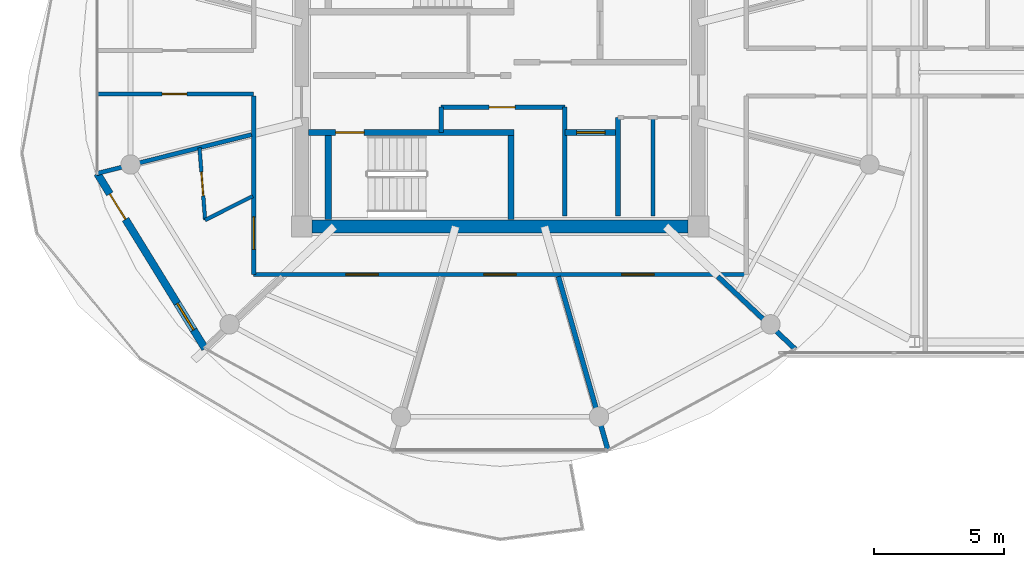
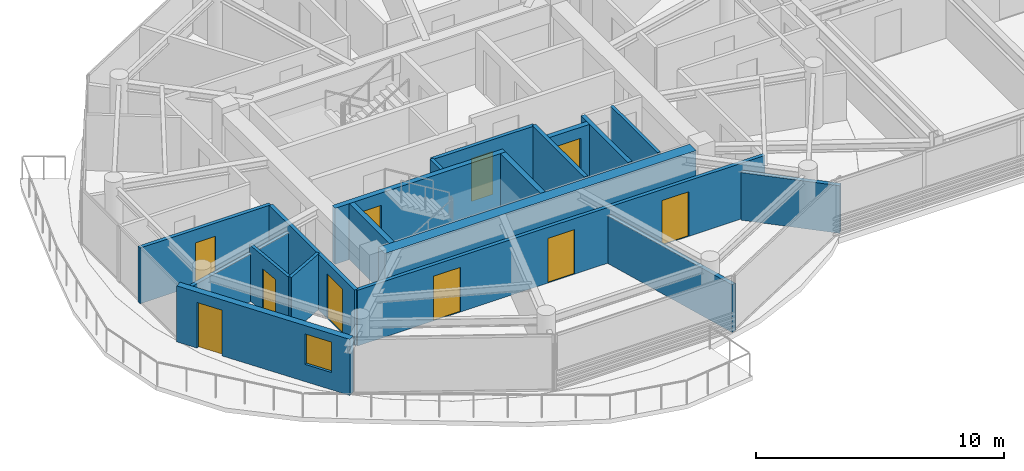
# One storey, part 13 of 23: 19 walls, 10 doors, 1 window, 11 openings.
"""IFC4 building model written with IfcOpenShell, lengths in metres."""

from ifc_helpers import new_model, si_unit, direction, frame, frame_2d, origin, place, context, subcontext, project, spatial, rectangle, extrude, source, transform, mapped, material, layer, layer_set, type_object, type_shapes, element, fill, save


model = new_model("IFC4")

# Units and contexts
model_context = context("Model", 3, precision=1e-05, world=origin(), true_north=direction((0.0, 1.0)))
body_context = subcontext(model_context, "Body", "Model", "MODEL_VIEW")
ifc_project = project(units=[si_unit("LENGTHUNIT", "METRE"), si_unit("AREAUNIT", "SQUARE_METRE"), si_unit("VOLUMEUNIT", "CUBIC_METRE"), si_unit("PLANEANGLEUNIT", "RADIAN"), si_unit("MASSUNIT", "GRAM", prefix="KILO")], contexts=[model_context])

# Site, building, storey
site_placement = place(None, origin())
site = spatial("IfcSite", under=ifc_project, at=site_placement, CompositionType="ELEMENT")
building_placement = place(site_placement, origin())
building = spatial("IfcBuilding", under=site, at=building_placement, Name="Norrkilde Senior Care Towers", CompositionType="ELEMENT")
storey_placement = place(building_placement, frame((0.0, 0.0, 220.0)))
storey = spatial("IfcBuildingStorey", under=building, at=storey_placement, Name="L68", CompositionType="ELEMENT", Elevation=220.0)

# Wall
ifc_material_1 = material(Name="Concrete C50/60", Category="concrete")
ifc_layer_1 = layer(ifc_material_1, 0.52001953125)
ifc_layer_set_1 = layer_set([ifc_layer_1], Name="Concrete C50/60")
wall_type_1 = type_object("IfcWallType", Name="Core Shear Wall Z4 520", PredefinedType="SHEAR", material=ifc_layer_set_1)
shared_shape_1 = source(origin(), body_context, "Body", "SweptSolid", [
    extrude(rectangle(XDim=14.5, YDim=0.52001953125, at=frame_2d((7.25, 0.0))), origin(), (0.0, 0.0, 1.0), 2.760009765625),
])
type_shapes(wall_type_1, [shared_shape_1])
wall_1_placement = place(storey_placement, frame((-20.75, -5.949951171875, 0.0), z_axis=(0.0, 0.0, 1.0), x_axis=(-1.0, 0.0, 0.0)))
element("IfcWall", 1, at=wall_1_placement, inside=storey, type_object=wall_type_1, Name="L68 Core W South Shear Wall", PredefinedType="SHEAR", context=body_context, shape_type="MappedRepresentation", body=[
    mapped(shared_shape_1, transform((0.0, 0.0, 0.0), x_axis=(1.0, 0.0, 0.0), y_axis=(0.0, 1.0, 0.0), z_axis=(0.0, 0.0, 1.0), scale=1.0)),
])

# Wall, openings, door, window
ifc_material_2 = material(Name="Precast concrete C45/55", Category="concrete")
ifc_layer_2 = layer(ifc_material_2, 0.2900390625)
ifc_layer_set_2 = layer_set([ifc_layer_2], Name="Precast concrete C45/55")
wall_type_2 = type_object("IfcWallType", Name="Winter Garden Facade Wall 290", PredefinedType="SOLIDWALL", material=ifc_layer_set_2)
shared_shape_2 = source(origin(), body_context, "Body", "SweptSolid", [
    extrude(rectangle(XDim=7.938232421875, YDim=0.2900390625, at=frame_2d((3.96923828125, 0.0))), origin(), (0.0, 0.0, 1.0), 2.760009765625),
])
type_shapes(wall_type_2, [shared_shape_2])
wall_2_placement = place(storey_placement, frame((-39.370361328125, -10.6630859375, 0.0), z_axis=(0.0, 0.0, 1.0), x_axis=(-0.524244987663, 0.851567491694, 0.0)))
wall_2 = element("IfcWall", 2, at=wall_2_placement, inside=storey, type_object=wall_type_2, Name="L68 Drum W Balcony Access Wall 06", PredefinedType="SOLIDWALL", context=body_context, shape_type="MappedRepresentation", body=[
    mapped(shared_shape_2, transform((0.0, 0.0, 0.0), x_axis=(1.0, 0.0, 0.0), y_axis=(0.0, 1.0, 0.0), z_axis=(0.0, 0.0, 1.0), scale=1.0)),
])
opening_1_placement = place(wall_2_placement, frame((5.860107421875, 0.0, 0.0)))
opening_1 = element("IfcOpeningElement", 3, at=opening_1_placement, cuts=wall_2, Name="Opening D-09", PredefinedType="OPENING", context=body_context, shape_type="SweptSolid", body=[
    extrude(rectangle(XDim=1.14990234375, YDim=2.25, at=frame_2d((0.574951171875, 1.125))), frame((0.0, 0.155029296875, 0.0), z_axis=(0.0, -1.0, 0.0), x_axis=(1.0, 0.0, 0.0)), (0.0, 0.0, 1.0), 0.31005859375),
])
opening_2_placement = place(wall_2_placement, frame((0.85009765625, 0.0, 0.85009765625)))
opening_2 = element("IfcOpeningElement", 4, at=opening_2_placement, cuts=wall_2, Name="Opening WN-07", PredefinedType="OPENING", context=body_context, shape_type="SweptSolid", body=[
    extrude(rectangle(XDim=1.199951171875, YDim=1.5, at=frame_2d((0.60009765625, 0.75))), frame((0.0, 0.155029296875, 0.0), z_axis=(0.0, -1.0, 0.0), x_axis=(1.0, 0.0, 0.0)), (0.0, 0.0, 1.0), 0.31005859375),
])
ifc_material_3 = material(Name="Anodised Aluminium", Category="aluminium")
door_type_1 = type_object("IfcDoorType", Name="Terrace and Balcony Glazed Door 1150x2250", OperationType="NOTDEFINED", PredefinedType="DOOR", material=ifc_material_3)
shared_shape_3 = source(origin(), body_context, "Body", "SweptSolid", [
    extrude(rectangle(XDim=1.14990234375, YDim=2.25, at=frame_2d((0.574951171875, 1.125))), frame((0.0, 0.02490234375, 0.0), z_axis=(0.0, -1.0, 0.0), x_axis=(1.0, 0.0, 0.0)), (0.0, 0.0, 1.0), 0.050048828125),
])
type_shapes(door_type_1, [shared_shape_3])
door_1_placement = place(opening_1_placement, origin())
door_1 = element("IfcDoor", 5, at=door_1_placement, inside=storey, type_object=door_type_1, Name="L68 Drum W Outdoor Terrace Door 06", OperationType="SINGLE_SWING_LEFT", OverallHeight=2.25, OverallWidth=1.14990234375, PredefinedType="DOOR", context=body_context, shape_type="MappedRepresentation", body=[
    mapped(shared_shape_3, transform((0.0, 0.0, 0.0), x_axis=(1.0, 0.0, 0.0), y_axis=(0.0, 1.0, 0.0), z_axis=(0.0, 0.0, 1.0), scale=1.0)),
])
fill(opening_1, door_1)
ifc_material_4 = material(Name="Triple Low-E Insulated Glazing", Category="glass")
window_type = type_object("IfcWindowType", Name="Stairwell Smoke Vent Window 1200x1500", PartitioningType="SINGLE_PANEL", PredefinedType="WINDOW", material=ifc_material_4)
shared_shape_4 = source(origin(), body_context, "Body", "SweptSolid", [
    extrude(rectangle(XDim=1.199951171875, YDim=1.5, at=frame_2d((0.60009765625, 0.75))), frame((0.0, 0.030029296875, 0.0), z_axis=(0.0, -1.0, 0.0), x_axis=(1.0, 0.0, 0.0)), (0.0, 0.0, 1.0), 0.06005859375),
])
type_shapes(window_type, [shared_shape_4])
window_placement = place(opening_2_placement, origin())
window = element("IfcWindow", 6, at=window_placement, inside=storey, type_object=window_type, Name="L68 Drum W Winter Garden Window 06", OverallHeight=1.5, OverallWidth=1.199951171875, PartitioningType="SINGLE_PANEL", PredefinedType="WINDOW", context=body_context, shape_type="MappedRepresentation", body=[
    mapped(shared_shape_4, transform((0.0, 0.0, 0.0), x_axis=(1.0, 0.0, 0.0), y_axis=(0.0, 1.0, 0.0), z_axis=(0.0, 0.0, 1.0), scale=1.0)),
])
fill(opening_2, window)

# Wall, opening, door
ifc_material_5 = material(Name="Concrete C45/55", Category="concrete")
ifc_layer_3 = layer(ifc_material_5, 0.239990234375)
ifc_layer_set_3 = layer_set([ifc_layer_3], Name="Concrete C45/55")
wall_type_3 = type_object("IfcWallType", Name="Shaft and Stair Enclosure Wall 240", PredefinedType="PARTITIONING", material=ifc_layer_set_3)
shared_shape_5 = source(origin(), body_context, "Body", "SweptSolid", [
    extrude(rectangle(XDim=7.929931640625, YDim=0.239990234375, at=frame_2d((3.96484375, 0.0))), origin(), (0.0, 0.0, 1.0), 2.760009765625),
])
wall_3_placement = place(storey_placement, frame((-35.389892578125, -2.330078125, 0.0), z_axis=(0.0, 0.0, 1.0), x_axis=(1.0, 0.0, 0.0)))
wall_3 = element("IfcWall", 7, at=wall_3_placement, inside=storey, type_object=wall_type_3, Name="WL-INT-L68-W-ST2N", PredefinedType="PARTITIONING", context=body_context, shape_type="MappedRepresentation", body=[
    mapped(shared_shape_5, transform((0.0, 0.0, 0.0), x_axis=(1.0, 0.0, 0.0), y_axis=(0.0, 1.0, 0.0), z_axis=(0.0, 0.0, 1.0), scale=1.0)),
])
opening_3_placement = place(wall_3_placement, frame((1.050048828125, 0.0, 0.0)))
opening_3 = element("IfcOpeningElement", 8, at=opening_3_placement, cuts=wall_3, Name="Opening D-03", PredefinedType="OPENING", context=body_context, shape_type="SweptSolid", body=[
    extrude(rectangle(XDim=1.10009765625, YDim=2.14990234375, at=frame_2d((0.550048828125, 1.074951171875))), frame((0.0, 0.1298828125, 0.0), z_axis=(0.0, -1.0, 0.0), x_axis=(1.0, 0.0, 0.0)), (0.0, 0.0, 1.0), 0.260009765625),
])
ifc_material_6 = material(Name="Galvanised Painted Steel", Category="steel")
door_type_2 = type_object("IfcDoorType", Name="Stairwell Protected Fire Door 1100x2150", OperationType="NOTDEFINED", PredefinedType="DOOR", material=ifc_material_6)
shared_shape_6 = source(origin(), body_context, "Body", "SweptSolid", [
    extrude(rectangle(XDim=1.10009765625, YDim=2.14990234375, at=frame_2d((0.550048828125, 1.074951171875))), frame((0.0, 0.02490234375, 0.0), z_axis=(0.0, -1.0, 0.0), x_axis=(1.0, 0.0, 0.0)), (0.0, 0.0, 1.0), 0.050048828125),
])
type_shapes(door_type_2, [shared_shape_6])
door_2_placement = place(opening_3_placement, frame((1.10009765625, 0.0, 0.0), z_axis=(0.0, 0.0, 1.0), x_axis=(-1.0, 0.0, 0.0)))
door_2 = element("IfcDoor", 9, at=door_2_placement, inside=storey, type_object=door_type_2, Name="L68 Stair W2 Fire Door", OperationType="SINGLE_SWING_RIGHT", OverallHeight=2.14990234375, OverallWidth=1.10009765625, PredefinedType="DOOR", context=body_context, shape_type="MappedRepresentation", body=[
    mapped(shared_shape_6, transform((0.0, 0.0, 0.0), x_axis=(1.0, 0.0, 0.0), y_axis=(0.0, 1.0, 0.0), z_axis=(0.0, 0.0, 1.0), scale=1.0)),
])
fill(opening_3, door_2)

# Walls
shared_shape_7 = source(origin(), body_context, "Body", "SweptSolid", [
    extrude(rectangle(XDim=3.239990234375, YDim=0.239990234375, at=frame_2d((1.6201171875, 0.0))), origin(), (0.0, 0.0, 1.0), 2.760009765625),
])
type_shapes(wall_type_3, [shared_shape_5, shared_shape_7])
for number, where, z_axis, x_axis, name in (
    (10, (-34.6201171875, -5.68994140625, 0.0), (0.0, 0.0, 1.0), (0.0, 1.0, 0.0), "WL-INT-L68-W-ST2W"),
    (11, (-27.580078125, -5.68994140625, 0.0), (0.0, 0.0, 1.0), (0.0, 1.0, 0.0), "WL-INT-L68-W-ST2E"),
):
    element("IfcWall", number, at=place(storey_placement, frame(where, z_axis=z_axis, x_axis=x_axis)), inside=storey, type_object=wall_type_3, Name=name, PredefinedType="PARTITIONING", context=body_context, shape_type="MappedRepresentation", body=[
        mapped(shared_shape_7, transform((0.0, 0.0, 0.0), x_axis=(1.0, 0.0, 0.0), y_axis=(0.0, 1.0, 0.0), z_axis=(0.0, 0.0, 1.0), scale=1.0)),
    ])
ifc_layer_4 = layer(ifc_material_5, 0.199951171875)
ifc_layer_set_4 = layer_set([ifc_layer_4], Name="Concrete C45/55")
wall_type_4 = type_object("IfcWallType", Name="Shaft Division and Plant Partition 200", PredefinedType="PARTITIONING", material=ifc_layer_set_4)
shared_shape_8 = source(origin(), body_context, "Body", "SweptSolid", [
    extrude(rectangle(XDim=3.800048828125, YDim=0.199951171875, at=frame_2d((1.89990234375, 0.0))), origin(), (0.0, 0.0, 1.0), 2.7451171875),
])
type_shapes(wall_type_4, [shared_shape_8])
wall_4_placement = place(storey_placement, frame((-23.449951171875, -5.550048828125, 0.0), z_axis=(0.0, 0.0, 1.0), x_axis=(0.0, 1.0, 0.0)))
element("IfcWall", 12, at=wall_4_placement, inside=storey, type_object=wall_type_4, Name="WL-INT-L68-W-PKBE", PredefinedType="PARTITIONING", context=body_context, shape_type="MappedRepresentation", body=[
    mapped(shared_shape_8, transform((0.0, 0.0, 0.0), x_axis=(1.0, 0.0, 0.0), y_axis=(0.0, 1.0, 0.0), z_axis=(0.0, 0.0, 1.0), scale=1.0)),
])

# Wall, opening, door
ifc_layer_5 = layer(ifc_material_5, 0.239990234375)
ifc_layer_set_5 = layer_set([ifc_layer_5], Name="Concrete C45/55")
wall_type_5 = type_object("IfcWallType", Name="Lift and Plant Rated Enclosure Partition 240", PredefinedType="PARTITIONING", material=ifc_layer_set_5)
shared_shape_9 = source(origin(), body_context, "Body", "SweptSolid", [
    extrude(rectangle(XDim=2.050048828125, YDim=0.239990234375, at=frame_2d((1.02490234375, 0.0))), origin(), (0.0, 0.0, 1.0), 2.7451171875),
])
type_shapes(wall_type_5, [shared_shape_9])
wall_5_placement = place(storey_placement, frame((-25.5, -2.330078125, 0.0), z_axis=(0.0, 0.0, 1.0), x_axis=(1.0, 0.0, 0.0)))
wall_5 = element("IfcWall", 13, at=wall_5_placement, inside=storey, type_object=wall_type_5, Name="WL-INT-L68-W-PL4N", PredefinedType="PARTITIONING", context=body_context, shape_type="MappedRepresentation", body=[
    mapped(shared_shape_9, transform((0.0, 0.0, 0.0), x_axis=(1.0, 0.0, 0.0), y_axis=(0.0, 1.0, 0.0), z_axis=(0.0, 0.0, 1.0), scale=1.0)),
])
opening_4_placement = place(wall_5_placement, frame((0.449951171875, 0.0, 0.0)))
opening_4 = element("IfcOpeningElement", 14, at=opening_4_placement, cuts=wall_5, Name="Opening LD-01", PredefinedType="OPENING", context=body_context, shape_type="SweptSolid", body=[
    extrude(rectangle(XDim=1.10009765625, YDim=2.199951171875, at=frame_2d((0.550048828125, 1.10009765625))), frame((0.0, 0.1298828125, 0.0), z_axis=(0.0, -1.0, 0.0), x_axis=(1.0, 0.0, 0.0)), (0.0, 0.0, 1.0), 0.260009765625),
])
ifc_material_7 = material(Name="Stainless Steel", Category="steel")
door_type_3 = type_object("IfcDoorType", Name="Lift Landing Sliding Door 1100x2200", OperationType="NOTDEFINED", PredefinedType="DOOR", material=ifc_material_7)
shared_shape_10 = source(origin(), body_context, "Body", "SweptSolid", [
    extrude(rectangle(XDim=1.10009765625, YDim=2.199951171875, at=frame_2d((0.550048828125, 1.10009765625))), frame((0.0, 0.02490234375, 0.0), z_axis=(0.0, -1.0, 0.0), x_axis=(1.0, 0.0, 0.0)), (0.0, 0.0, 1.0), 0.050048828125),
])
type_shapes(door_type_3, [shared_shape_10])
door_3_placement = place(opening_4_placement, frame((1.10009765625, 0.0, 0.0), z_axis=(0.0, 0.0, 1.0), x_axis=(-1.0, 0.0, 0.0)))
door_3 = element("IfcDoor", 15, at=door_3_placement, inside=storey, type_object=door_type_3, Name="L68 Passenger Lift W4 Landing Door", OperationType="SLIDING_TO_RIGHT", OverallHeight=2.199951171875, OverallWidth=1.10009765625, PredefinedType="DOOR", context=body_context, shape_type="MappedRepresentation", body=[
    mapped(shared_shape_10, transform((0.0, 0.0, 0.0), x_axis=(1.0, 0.0, 0.0), y_axis=(0.0, 1.0, 0.0), z_axis=(0.0, 0.0, 1.0), scale=1.0)),
])
fill(opening_4, door_3)

# Wall
ifc_layer_6 = layer(ifc_material_5, 0.179931640625)
ifc_layer_set_6 = layer_set([ifc_layer_6], Name="Concrete C45/55")
wall_type_6 = type_object("IfcWallType", Name="Hoistway Division Rated Partition 180", PredefinedType="PARTITIONING", material=ifc_layer_set_6)
shared_shape_11 = source(origin(), body_context, "Body", "SweptSolid", [
    extrude(rectangle(XDim=4.199951171875, YDim=0.179931640625, at=frame_2d((2.10009765625, 0.0))), origin(), (0.0, 0.0, 1.0), 2.7451171875),
])
type_shapes(wall_type_6, [shared_shape_11])
wall_6_placement = place(storey_placement, frame((-25.5, -5.550048828125, 0.0), z_axis=(0.0, 0.0, 1.0), x_axis=(0.0, 1.0, 0.0)))
element("IfcWall", 16, at=wall_6_placement, inside=storey, type_object=wall_type_6, Name="WL-INT-L68-W-PL4W", PredefinedType="PARTITIONING", context=body_context, shape_type="MappedRepresentation", body=[
    mapped(shared_shape_11, transform((0.0, 0.0, 0.0), x_axis=(1.0, 0.0, 0.0), y_axis=(0.0, 1.0, 0.0), z_axis=(0.0, 0.0, 1.0), scale=1.0)),
])

# Wall, opening, door
ifc_material_8 = material(Name="Gypsum Acoustic Board")
ifc_layer_7 = layer(ifc_material_8, 0.1650390625)
ifc_layer_set_7 = layer_set([ifc_layer_7], Name="Gypsum Acoustic Board")
wall_type_7 = type_object("IfcWallType", Name="Corridor Rated Partition 165", PredefinedType="PARTITIONING", material=ifc_layer_set_7)
shared_shape_12 = source(origin(), body_context, "Body", "SweptSolid", [
    extrude(rectangle(XDim=4.77001953125, YDim=0.1650390625, at=frame_2d((2.385009765625, 0.0))), origin(), (0.0, 0.0, 1.0), 2.7451171875),
])
wall_7_placement = place(storey_placement, frame((-30.27001953125, -1.35009765625, 0.0), z_axis=(0.0, 0.0, 1.0), x_axis=(1.0, 0.0, 0.0)))
wall_7 = element("IfcWall", 17, at=wall_7_placement, inside=storey, type_object=wall_type_7, Name="WL-INT-L68-W-FR2N", PredefinedType="PARTITIONING", context=body_context, shape_type="MappedRepresentation", body=[
    mapped(shared_shape_12, transform((0.0, 0.0, 0.0), x_axis=(1.0, 0.0, 0.0), y_axis=(0.0, 1.0, 0.0), z_axis=(0.0, 0.0, 1.0), scale=1.0)),
])
opening_5_placement = place(wall_7_placement, frame((1.85009765625, 0.0, 0.0)))
opening_5 = element("IfcOpeningElement", 18, at=opening_5_placement, cuts=wall_7, Name="Opening D-10", PredefinedType="OPENING", context=body_context, shape_type="SweptSolid", body=[
    extrude(rectangle(XDim=1.0, YDim=2.10009765625, at=frame_2d((0.5, 1.050048828125))), frame((0.0, 0.092529296875, 0.0), z_axis=(0.0, -1.0, 0.0), x_axis=(1.0, 0.0, 0.0)), (0.0, 0.0, 1.0), 0.18505859375),
])
door_type_4 = type_object("IfcDoorType", Name="Plant and Riser Rated Door 1000x2100", OperationType="NOTDEFINED", PredefinedType="DOOR", material=ifc_material_6)
shared_shape_13 = source(origin(), body_context, "Body", "SweptSolid", [
    extrude(rectangle(XDim=1.0, YDim=2.10009765625, at=frame_2d((0.5, 1.050048828125))), frame((0.0, 0.02490234375, 0.0), z_axis=(0.0, -1.0, 0.0), x_axis=(1.0, 0.0, 0.0)), (0.0, 0.0, 1.0), 0.050048828125),
])
type_shapes(door_type_4, [shared_shape_13])
door_4_placement = place(opening_5_placement, origin())
door_4 = element("IfcDoor", 19, at=door_4_placement, inside=storey, type_object=door_type_4, Name="L68 Core Pantry W Door", OperationType="SINGLE_SWING_RIGHT", OverallHeight=2.10009765625, OverallWidth=1.0, PredefinedType="DOOR", context=body_context, shape_type="MappedRepresentation", body=[
    mapped(shared_shape_13, transform((0.0, 0.0, 0.0), x_axis=(1.0, 0.0, 0.0), y_axis=(0.0, 1.0, 0.0), z_axis=(0.0, 0.0, 1.0), scale=1.0)),
])
fill(opening_5, door_4)

# Wall
shared_shape_14 = source(origin(), body_context, "Body", "SweptSolid", [
    extrude(rectangle(XDim=0.97998046875, YDim=0.1650390625, at=frame_2d((0.489990234375, 0.0))), origin(), (0.0, 0.0, 1.0), 2.7451171875),
])
wall_8_placement = place(storey_placement, frame((-30.27001953125, -2.330078125, 0.0), z_axis=(0.0, 0.0, 1.0), x_axis=(0.0, 1.0, 0.0)))
element("IfcWall", 20, at=wall_8_placement, inside=storey, type_object=wall_type_7, Name="WL-INT-L68-W-FR2W", PredefinedType="PARTITIONING", context=body_context, shape_type="MappedRepresentation", body=[
    mapped(shared_shape_14, transform((0.0, 0.0, 0.0), x_axis=(1.0, 0.0, 0.0), y_axis=(0.0, 1.0, 0.0), z_axis=(0.0, 0.0, 1.0), scale=1.0)),
])

# Wall, openings, doors
shared_shape_15 = source(origin(), body_context, "Body", "SweptSolid", [
    extrude(rectangle(XDim=19.0, YDim=0.1650390625, at=frame_2d((9.5, 0.0))), origin(), (0.0, 0.0, 1.0), 2.7451171875),
])
wall_9_placement = place(storey_placement, frame((-18.5, -7.800048828125, 0.0), z_axis=(0.0, 0.0, 1.0), x_axis=(-1.0, 0.0, 0.0)))
wall_9 = element("IfcWall", 21, at=wall_9_placement, inside=storey, type_object=wall_type_7, Name="WL-INT-L68-W-CRW-S-0", PredefinedType="PARTITIONING", context=body_context, shape_type="MappedRepresentation", body=[
    mapped(shared_shape_15, transform((0.0, 0.0, 0.0), x_axis=(1.0, 0.0, 0.0), y_axis=(0.0, 1.0, 0.0), z_axis=(0.0, 0.0, 1.0), scale=1.0)),
])
opening_6_placement = place(wall_9_placement, frame((14.19140625, 0.0, 0.0)))
opening_6 = element("IfcOpeningElement", 22, at=opening_6_placement, cuts=wall_9, Name="Opening D-05", PredefinedType="OPENING", context=body_context, shape_type="SweptSolid", body=[
    extrude(rectangle(XDim=1.25, YDim=2.199951171875, at=frame_2d((0.625, 1.10009765625))), frame((0.0, 0.092529296875, 0.0), z_axis=(0.0, -1.0, 0.0), x_axis=(1.0, 0.0, 0.0)), (0.0, 0.0, 1.0), 0.18505859375),
])
opening_7_placement = place(wall_9_placement, frame((8.875, 0.0, 0.0)))
opening_7 = element("IfcOpeningElement", 23, at=opening_7_placement, cuts=wall_9, Name="Opening D-05", PredefinedType="OPENING", context=body_context, shape_type="SweptSolid", body=[
    extrude(rectangle(XDim=1.25, YDim=2.199951171875, at=frame_2d((0.625, 1.10009765625))), frame((0.0, 0.092529296875, 0.0), z_axis=(0.0, -1.0, 0.0), x_axis=(1.0, 0.0, 0.0)), (0.0, 0.0, 1.0), 0.18505859375),
])
opening_8_placement = place(wall_9_placement, frame((3.55859375, 0.0, 0.0)))
opening_8 = element("IfcOpeningElement", 24, at=opening_8_placement, cuts=wall_9, Name="Opening D-05", PredefinedType="OPENING", context=body_context, shape_type="SweptSolid", body=[
    extrude(rectangle(XDim=1.25, YDim=2.199951171875, at=frame_2d((0.625, 1.10009765625))), frame((0.0, 0.092529296875, 0.0), z_axis=(0.0, -1.0, 0.0), x_axis=(1.0, 0.0, 0.0)), (0.0, 0.0, 1.0), 0.18505859375),
])
ifc_material_9 = material(Name="Nordic Ash Timber", Category="wood")
door_type_5 = type_object("IfcDoorType", Name="Care Bedroom Bariatric Door 1250x2200", OperationType="NOTDEFINED", PredefinedType="DOOR", material=ifc_material_9)
shared_shape_16 = source(origin(), body_context, "Body", "SweptSolid", [
    extrude(rectangle(XDim=1.25, YDim=2.199951171875, at=frame_2d((0.625, 1.10009765625))), frame((0.0, 0.02490234375, 0.0), z_axis=(0.0, -1.0, 0.0), x_axis=(1.0, 0.0, 0.0)), (0.0, 0.0, 1.0), 0.050048828125),
])
type_shapes(door_type_5, [shared_shape_16])
door_5_placement = place(opening_6_placement, frame((1.25, 0.0, 0.0), z_axis=(0.0, 0.0, 1.0), x_axis=(-1.0, 0.0, 0.0)))
door_5 = element("IfcDoor", 25, at=door_5_placement, inside=storey, type_object=door_type_5, Name="L68 Household Communal Dining Salon Door", OperationType="SINGLE_SWING_RIGHT", OverallHeight=2.199951171875, OverallWidth=1.25, PredefinedType="DOOR", context=body_context, shape_type="MappedRepresentation", body=[
    mapped(shared_shape_16, transform((0.0, 0.0, 0.0), x_axis=(1.0, 0.0, 0.0), y_axis=(0.0, 1.0, 0.0), z_axis=(0.0, 0.0, 1.0), scale=1.0)),
])
fill(opening_6, door_5)
door_6_placement = place(opening_7_placement, frame((1.25, 0.0, 0.0), z_axis=(0.0, 0.0, 1.0), x_axis=(-1.0, 0.0, 0.0)))
door_6 = element("IfcDoor", 26, at=door_6_placement, inside=storey, type_object=door_type_5, Name="L68 Resident Therapeutic Day Lounge Door", OperationType="SINGLE_SWING_LEFT", OverallHeight=2.199951171875, OverallWidth=1.25, PredefinedType="DOOR", context=body_context, shape_type="MappedRepresentation", body=[
    mapped(shared_shape_16, transform((0.0, 0.0, 0.0), x_axis=(1.0, 0.0, 0.0), y_axis=(0.0, 1.0, 0.0), z_axis=(0.0, 0.0, 1.0), scale=1.0)),
])
fill(opening_7, door_6)
door_7_placement = place(opening_8_placement, frame((1.25, 0.0, 0.0), z_axis=(0.0, 0.0, 1.0), x_axis=(-1.0, 0.0, 0.0)))
door_7 = element("IfcDoor", 27, at=door_7_placement, inside=storey, type_object=door_type_5, Name="L68 Care Coordination Charting Office Door", OperationType="SINGLE_SWING_RIGHT", OverallHeight=2.199951171875, OverallWidth=1.25, PredefinedType="DOOR", context=body_context, shape_type="MappedRepresentation", body=[
    mapped(shared_shape_16, transform((0.0, 0.0, 0.0), x_axis=(1.0, 0.0, 0.0), y_axis=(0.0, 1.0, 0.0), z_axis=(0.0, 0.0, 1.0), scale=1.0)),
])
fill(opening_8, door_7)

# Wall, opening, door
shared_shape_17 = source(origin(), body_context, "Body", "SweptSolid", [
    extrude(rectangle(XDim=6.880126953125, YDim=0.1650390625, at=frame_2d((3.43994140625, 0.0))), origin(), (0.0, 0.0, 1.0), 2.7451171875),
])
wall_10_placement = place(storey_placement, frame((-37.5, -7.800048828125, 0.0), z_axis=(0.0, 0.0, 1.0), x_axis=(0.0, 1.0, 0.0)))
wall_10 = element("IfcWall", 28, at=wall_10_placement, inside=storey, type_object=wall_type_7, Name="WL-INT-L68-W-CRW-W-0", PredefinedType="PARTITIONING", context=body_context, shape_type="MappedRepresentation", body=[
    mapped(shared_shape_17, transform((0.0, 0.0, 0.0), x_axis=(1.0, 0.0, 0.0), y_axis=(0.0, 1.0, 0.0), z_axis=(0.0, 0.0, 1.0), scale=1.0)),
])
opening_9_placement = place(wall_10_placement, frame((0.96826171875, 0.0, 0.0)))
opening_9 = element("IfcOpeningElement", 29, at=opening_9_placement, cuts=wall_10, Name="Opening D-05", PredefinedType="OPENING", context=body_context, shape_type="SweptSolid", body=[
    extrude(rectangle(XDim=1.25, YDim=2.199951171875, at=frame_2d((0.625, 1.10009765625))), frame((0.0, 0.092529296875, 0.0), z_axis=(0.0, -1.0, 0.0), x_axis=(1.0, 0.0, 0.0)), (0.0, 0.0, 1.0), 0.18505859375),
])
door_8_placement = place(opening_9_placement, frame((1.25, 0.0, 0.0), z_axis=(0.0, 0.0, 1.0), x_axis=(-1.0, 0.0, 0.0)))
door_8 = element("IfcDoor", 30, at=door_8_placement, inside=storey, type_object=door_type_5, Name="L68 Care Suite 6806 Entrance Door", OperationType="SINGLE_SWING_LEFT", OverallHeight=2.199951171875, OverallWidth=1.25, PredefinedType="DOOR", context=body_context, shape_type="MappedRepresentation", body=[
    mapped(shared_shape_16, transform((0.0, 0.0, 0.0), x_axis=(1.0, 0.0, 0.0), y_axis=(0.0, 1.0, 0.0), z_axis=(0.0, 0.0, 1.0), scale=1.0)),
])
fill(opening_9, door_8)

# Wall
shared_shape_18 = source(origin(), body_context, "Body", "SweptSolid", [
    extrude(rectangle(XDim=6.1572265625, YDim=0.1650390625, at=frame_2d((3.07861328125, 0.0))), origin(), (0.0, 0.0, 1.0), 2.344970703125),
])
wall_11_placement = place(storey_placement, frame((-37.580078125, -2.407470703125, 0.0), z_axis=(0.0, 0.0, 1.0), x_axis=(-0.969840867184, -0.243738984038, 0.0)))
element("IfcWall", 31, at=wall_11_placement, inside=storey, type_object=wall_type_7, Name="WL-INT-L68-W-DEM-06-0", PredefinedType="PARTITIONING", context=body_context, shape_type="MappedRepresentation", body=[
    mapped(shared_shape_18, transform((0.0, 0.0, 0.0), x_axis=(1.0, 0.0, 0.0), y_axis=(0.0, 1.0, 0.0), z_axis=(0.0, 0.0, 1.0), scale=1.0)),
])

# Wall, opening, door
shared_shape_19 = source(origin(), body_context, "Body", "SweptSolid", [
    extrude(rectangle(XDim=6.101318359375, YDim=0.1650390625, at=frame_2d((3.05078125, 0.0))), origin(), (0.0, 0.0, 1.0), 2.7451171875),
])
type_shapes(wall_type_7, [shared_shape_12, shared_shape_14, shared_shape_15, shared_shape_17, shared_shape_18, shared_shape_19])
wall_12_placement = place(storey_placement, frame((-37.5, -0.840087890625, 0.0), z_axis=(0.0, 0.0, 1.0), x_axis=(-1.0, 0.0, 0.0)))
wall_12 = element("IfcWall", 32, at=wall_12_placement, inside=storey, type_object=wall_type_7, Name="WL-INT-L68-W-SPK-W2-0", PredefinedType="PARTITIONING", context=body_context, shape_type="MappedRepresentation", body=[
    mapped(shared_shape_19, transform((0.0, 0.0, 0.0), x_axis=(1.0, 0.0, 0.0), y_axis=(0.0, 1.0, 0.0), z_axis=(0.0, 0.0, 1.0), scale=1.0)),
])
opening_10_placement = place(wall_12_placement, frame((2.57568359375, 0.0, 0.0)))
opening_10 = element("IfcOpeningElement", 33, at=opening_10_placement, cuts=wall_12, Name="Opening D-07", PredefinedType="OPENING", context=body_context, shape_type="SweptSolid", body=[
    extrude(rectangle(XDim=0.949951171875, YDim=2.10009765625, at=frame_2d((0.47509765625, 1.050048828125))), frame((0.0, 0.092529296875, 0.0), z_axis=(0.0, -1.0, 0.0), x_axis=(1.0, 0.0, 0.0)), (0.0, 0.0, 1.0), 0.18505859375),
])
door_type_6 = type_object("IfcDoorType", Name="Internal Suite Bedroom Door 950x2100", OperationType="NOTDEFINED", PredefinedType="DOOR", material=ifc_material_9)
shared_shape_20 = source(origin(), body_context, "Body", "SweptSolid", [
    extrude(rectangle(XDim=0.949951171875, YDim=2.10009765625, at=frame_2d((0.47509765625, 1.050048828125))), frame((0.0, 0.02490234375, 0.0), z_axis=(0.0, -1.0, 0.0), x_axis=(1.0, 0.0, 0.0)), (0.0, 0.0, 1.0), 0.050048828125),
])
type_shapes(door_type_6, [shared_shape_20])
door_9_placement = place(opening_10_placement, frame((0.949951171875, 0.0, 0.0), z_axis=(0.0, 0.0, 1.0), x_axis=(-1.0, 0.0, 0.0)))
door_9 = element("IfcDoor", 34, at=door_9_placement, inside=storey, type_object=door_type_6, Name="L68 Sun Reading Lounge 1 Door", OperationType="SINGLE_SWING_RIGHT", OverallHeight=2.10009765625, OverallWidth=0.949951171875, PredefinedType="DOOR", context=body_context, shape_type="MappedRepresentation", body=[
    mapped(shared_shape_20, transform((0.0, 0.0, 0.0), x_axis=(1.0, 0.0, 0.0), y_axis=(0.0, 1.0, 0.0), z_axis=(0.0, 0.0, 1.0), scale=1.0)),
])
fill(opening_10, door_9)

# Walls
ifc_layer_8 = layer(ifc_material_8, 0.18994140625)
ifc_layer_set_8 = layer_set([ifc_layer_8], Name="Gypsum Acoustic Board")
wall_type_8 = type_object("IfcWallType", Name="Unit Demising Acoustic Wall 190", PredefinedType="PARTITIONING", material=ifc_layer_set_8)
shared_shape_21 = source(origin(), body_context, "Body", "SweptSolid", [
    extrude(rectangle(XDim=4.089111328125, YDim=0.18994140625, at=frame_2d((2.04443359375, 0.0))), origin(), (0.0, 0.0, 1.0), 2.344970703125),
])
wall_13_placement = place(storey_placement, frame((-19.59814453125, -7.8798828125, 0.0), z_axis=(0.0, 0.0, 1.0), x_axis=(0.729401273609, -0.684086092577, 0.0)))
element("IfcWall", 35, at=wall_13_placement, inside=storey, type_object=wall_type_8, Name="WL-INT-L68-W-DEM-10-0", PredefinedType="PARTITIONING", context=body_context, shape_type="MappedRepresentation", body=[
    mapped(shared_shape_21, transform((0.0, 0.0, 0.0), x_axis=(1.0, 0.0, 0.0), y_axis=(0.0, 1.0, 0.0), z_axis=(0.0, 0.0, 1.0), scale=1.0)),
])
ifc_layer_9 = layer(ifc_material_8, 0.139892578125)
ifc_layer_set_9 = layer_set([ifc_layer_9], Name="Gypsum Acoustic Board")
wall_type_9 = type_object("IfcWallType", Name="En-suite Wet Room Wall 140", PredefinedType="PARTITIONING", material=ifc_layer_set_9)
shared_shape_22 = source(origin(), body_context, "Body", "SweptSolid", [
    extrude(rectangle(XDim=2.059814453125, YDim=0.139892578125, at=frame_2d((1.02978515625, 0.0))), origin(), (0.0, 0.0, 1.0), 2.7451171875),
])
wall_14_placement = place(storey_placement, frame((-37.530029296875, -4.7783203125, 0.0), z_axis=(0.0, 0.0, 1.0), x_axis=(-0.893952568722, -0.448161583444, 0.0)))
element("IfcWall", 36, at=wall_14_placement, inside=storey, type_object=wall_type_9, Name="WL-INT-L68-W-ES-06", PredefinedType="PARTITIONING", context=body_context, shape_type="MappedRepresentation", body=[
    mapped(shared_shape_22, transform((0.0, 0.0, 0.0), x_axis=(1.0, 0.0, 0.0), y_axis=(0.0, 1.0, 0.0), z_axis=(0.0, 0.0, 1.0), scale=1.0)),
])

# Wall, opening, door
shared_shape_23 = source(origin(), body_context, "Body", "SweptSolid", [
    extrude(rectangle(XDim=2.79833984375, YDim=0.139892578125, at=frame_2d((1.399169921875, 0.0))), origin(), (0.0, 0.0, 1.0), 2.7451171875),
])
wall_15_placement = place(storey_placement, frame((-39.371337890625, -5.701416015625, 0.0), z_axis=(0.0, 0.0, 1.0), x_axis=(-0.077823984089, 0.996967114553, 0.0)))
wall_15 = element("IfcWall", 37, at=wall_15_placement, inside=storey, type_object=wall_type_9, Name="WL-INT-L68-W-EF-06", PredefinedType="PARTITIONING", context=body_context, shape_type="MappedRepresentation", body=[
    mapped(shared_shape_23, transform((0.0, 0.0, 0.0), x_axis=(1.0, 0.0, 0.0), y_axis=(0.0, 1.0, 0.0), z_axis=(0.0, 0.0, 1.0), scale=1.0)),
])
opening_11_placement = place(wall_15_placement, frame((0.939208984375, 0.0, 0.0)))
opening_11 = element("IfcOpeningElement", 38, at=opening_11_placement, cuts=wall_15, Name="Opening D-08", PredefinedType="OPENING", context=body_context, shape_type="SweptSolid", body=[
    extrude(rectangle(XDim=0.919921875, YDim=2.10009765625, at=frame_2d((0.4599609375, 1.050048828125))), frame((0.0, 0.079833984375, 0.0), z_axis=(0.0, -1.0, 0.0), x_axis=(1.0, 0.0, 0.0)), (0.0, 0.0, 1.0), 0.159912109375),
])
door_type_7 = type_object("IfcDoorType", Name="Accessible Wet Room Door 920x2100", OperationType="NOTDEFINED", PredefinedType="DOOR", material=ifc_material_9)
shared_shape_24 = source(origin(), body_context, "Body", "SweptSolid", [
    extrude(rectangle(XDim=0.919921875, YDim=2.10009765625, at=frame_2d((0.4599609375, 1.050048828125))), frame((0.0, 0.02490234375, 0.0), z_axis=(0.0, -1.0, 0.0), x_axis=(1.0, 0.0, 0.0)), (0.0, 0.0, 1.0), 0.050048828125),
])
type_shapes(door_type_7, [shared_shape_24])
door_10_placement = place(opening_11_placement, origin())
door_10 = element("IfcDoor", 39, at=door_10_placement, inside=storey, type_object=door_type_7, Name="L68 Care Suite 6806 Bathroom Door", OperationType="SINGLE_SWING_RIGHT", OverallHeight=2.10009765625, OverallWidth=0.919921875, PredefinedType="DOOR", context=body_context, shape_type="MappedRepresentation", body=[
    mapped(shared_shape_24, transform((0.0, 0.0, 0.0), x_axis=(1.0, 0.0, 0.0), y_axis=(0.0, 1.0, 0.0), z_axis=(0.0, 0.0, 1.0), scale=1.0)),
])
fill(opening_11, door_10)

# Walls
shared_shape_25 = source(origin(), body_context, "Body", "SweptSolid", [
    extrude(rectangle(XDim=6.973876953125, YDim=0.18994140625, at=frame_2d((3.48681640625, 0.0))), origin(), (0.0, 0.0, 1.0), 2.344970703125),
])
type_shapes(wall_type_8, [shared_shape_21, shared_shape_25])
wall_16_placement = place(storey_placement, frame((-25.748779296875, -7.8798828125, 0.0), z_axis=(0.0, 0.0, 1.0), x_axis=(0.274707256801, -0.961527910703, 0.0)))
element("IfcWall", 40, at=wall_16_placement, inside=storey, type_object=wall_type_8, Name="WL-INT-L68-W-DEM-09-0", PredefinedType="PARTITIONING", context=body_context, shape_type="MappedRepresentation", body=[
    mapped(shared_shape_25, transform((0.0, 0.0, 0.0), x_axis=(1.0, 0.0, 0.0), y_axis=(0.0, 1.0, 0.0), z_axis=(0.0, 0.0, 1.0), scale=1.0)),
])
shared_shape_26 = source(origin(), body_context, "Body", "SweptSolid", [
    extrude(rectangle(XDim=3.800048828125, YDim=0.139892578125, at=frame_2d((1.89990234375, 0.0))), origin(), (0.0, 0.0, 1.0), 2.7451171875),
])
type_shapes(wall_type_9, [shared_shape_22, shared_shape_23, shared_shape_26])
wall_17_placement = place(storey_placement, frame((-22.10009765625, -5.550048828125, 0.0), z_axis=(0.0, 0.0, 1.0), x_axis=(0.0, 1.0, 0.0)))
element("IfcWall", 41, at=wall_17_placement, inside=storey, type_object=wall_type_9, Name="WL-INT-L68-W-CS1V", PredefinedType="PARTITIONING", context=body_context, shape_type="MappedRepresentation", body=[
    mapped(shared_shape_26, transform((0.0, 0.0, 0.0), x_axis=(1.0, 0.0, 0.0), y_axis=(0.0, 1.0, 0.0), z_axis=(0.0, 0.0, 1.0), scale=1.0)),
])

save(model, "model.ifc")
